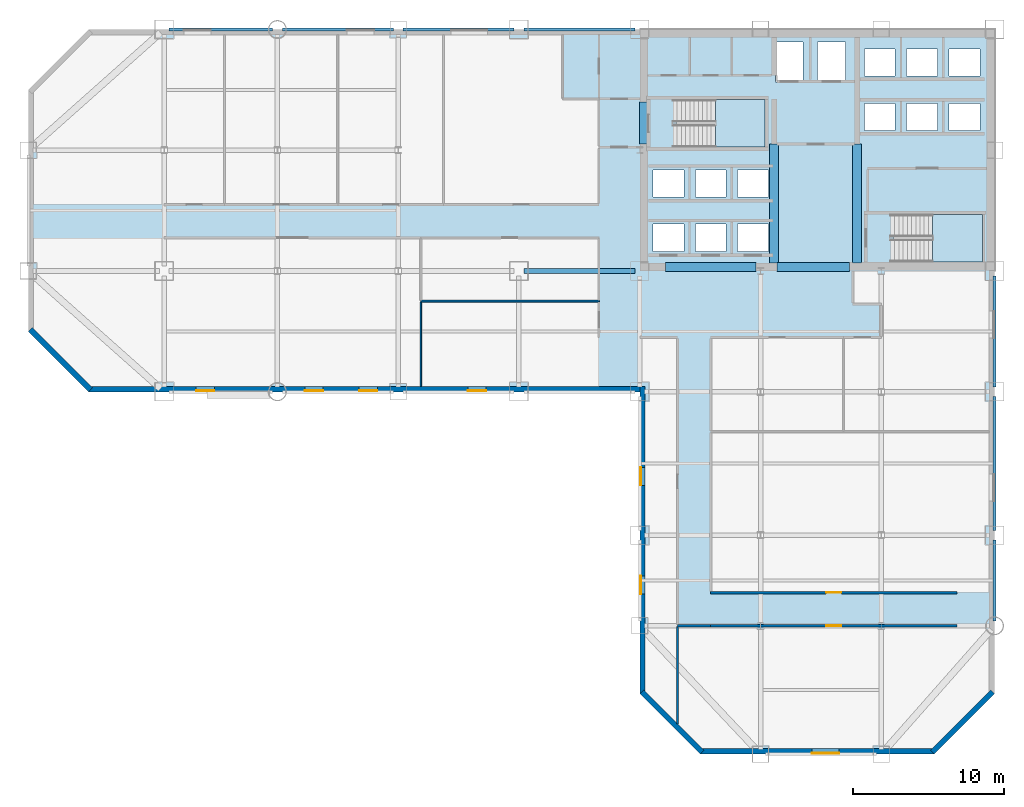
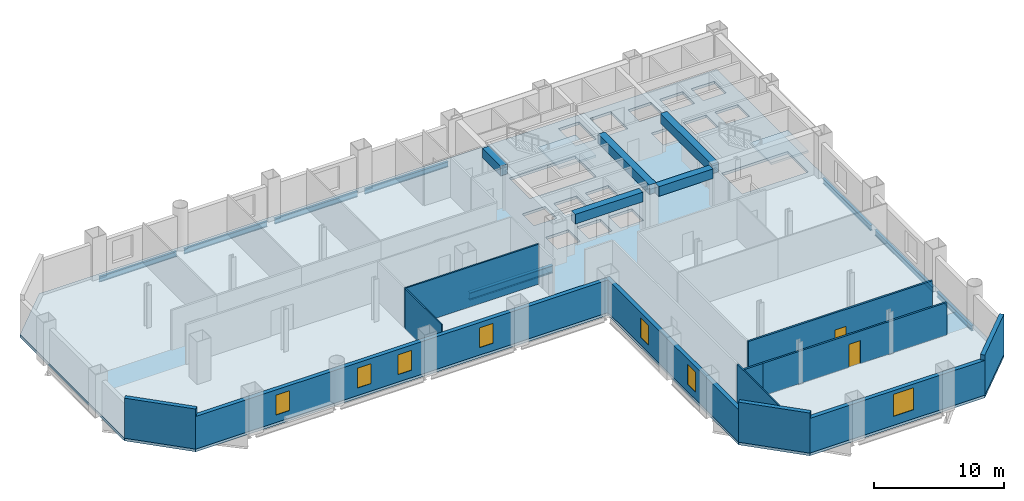
# One storey, part 4 of 9: 13 beams, 12 walls, 7 windows, 3 slabs, 2 doors, 9 openings, 2 elements without a shape of their own.
"""IFC4 building model written with IfcOpenShell, lengths in metres."""

from ifc_helpers import new_model, si_unit, direction, frame, frame_2d, origin, origin_2d, place, context, subcontext, project, spatial, polyline, rectangle, i_section, outline, extrude, material, layer, layer_set, material_profile, profile_set, type_object, element, fill, aggregate, save


model = new_model("IFC4")

# Units and contexts
model_context = context("Model", 3, precision=1e-05, world=origin(), true_north=direction((0.0, 1.0)))
body_context = subcontext(model_context, "Body", "Model", "MODEL_VIEW")
ifc_project = project(units=[si_unit("LENGTHUNIT", "METRE"), si_unit("AREAUNIT", "SQUARE_METRE"), si_unit("VOLUMEUNIT", "CUBIC_METRE"), si_unit("PLANEANGLEUNIT", "RADIAN"), si_unit("MASSUNIT", "GRAM", prefix="KILO")], contexts=[model_context])

# Site, building, storey
site_placement = place(None, origin())
site = spatial("IfcSite", under=ifc_project, at=site_placement, CompositionType="ELEMENT")
building_placement = place(site_placement, origin())
building = spatial("IfcBuilding", under=site, at=building_placement, Name="Qianrong Seaharbour Tower", CompositionType="ELEMENT")
storey_placement = place(building_placement, frame((0.0, 0.0, 88.199951171875)))
storey = spatial("IfcBuildingStorey", under=building, at=storey_placement, Name="L21", CompositionType="ELEMENT", Elevation=88.199951171875)

# Beams
ifc_material_1 = material(Name="Structural steel SN490B", Category="steel")
ifc_material_profile_1 = material_profile(ifc_material_1, i_section(OverallWidth=0.300048828125, OverallDepth=0.699951171875, WebThickness=0.012939453125, FlangeThickness=0.02392578125, FilletRadius=0.02587890625, at=origin_2d()), Name="H700x300x13x24")
ifc_profile_set_1 = profile_set([ifc_material_profile_1], Name="Structural steel SN490B")
beam_type_1 = type_object("IfcBeamType", Name="BM-G-700", PredefinedType="BEAM", material=ifc_profile_set_1)
beam_1_placement = place(storey_placement, frame((32.820068359375, 36.0, -0.599853515625), z_axis=(1.0, 0.0, 0.0), x_axis=(0.0, 1.0, 0.0)))
element("IfcBeam", 1, at=beam_1_placement, inside=storey, type_object=beam_type_1, Name="L21 Primary Girder GF G5-G6", PredefinedType="BEAM", context=body_context, shape_type="SweptSolid", body=[
    extrude(i_section(OverallWidth=0.300048828125, OverallDepth=0.699951171875, WebThickness=0.012939453125, FlangeThickness=0.02392578125, FilletRadius=0.02587890625, at=origin_2d()), origin(), (0.0, 0.0, 1.0), 7.35986328125),
])
ifc_material_2 = material(Name="Concrete C70/85", Category="concrete")
ifc_material_profile_2 = material_profile(ifc_material_2, rectangle(XDim=0.60009765625, YDim=0.89990234375, at=origin_2d()), Name="RC600x900")
ifc_profile_set_2 = profile_set([ifc_material_profile_2], Name="Concrete C70/85")
beam_type_2 = type_object("IfcBeamType", Name="BM-LINTEL-900", PredefinedType="LINTEL", material=ifc_profile_set_2)
beam_2_placement = place(storey_placement, frame((40.77001953125, 44.39990234375, 3.300048828125), z_axis=(0.0, 1.0, 0.0), x_axis=(-1.0, 0.0, 0.0)))
element("IfcBeam", 2, at=beam_2_placement, inside=storey, type_object=beam_type_2, Name="L21 Core Coupling Lintel Beam West", PredefinedType="LINTEL", context=body_context, shape_type="SweptSolid", body=[
    extrude(rectangle(XDim=0.60009765625, YDim=0.89990234375, at=origin_2d()), origin(), (0.0, 0.0, 1.0), 2.800048828125),
])
beam_3_placement = place(storey_placement, frame((42.199951171875, 36.27001953125, 3.300048828125), z_axis=(1.0, 0.0, 0.0), x_axis=(0.0, 1.0, 0.0)))
element("IfcBeam", 3, at=beam_3_placement, inside=storey, type_object=beam_type_2, Name="L21 Core Coupling Lintel Beam CBW", PredefinedType="LINTEL", context=body_context, shape_type="SweptSolid", body=[
    extrude(rectangle(XDim=0.60009765625, YDim=0.89990234375, at=origin_2d()), origin(), (0.0, 0.0, 1.0), 6.0),
])
beam_4_placement = place(storey_placement, frame((49.60009765625, 36.27001953125, 3.300048828125), z_axis=(1.0, 0.0, 0.0), x_axis=(0.0, 1.0, 0.0)))
element("IfcBeam", 4, at=beam_4_placement, inside=storey, type_object=beam_type_2, Name="L21 Core Coupling Lintel Beam CBC", PredefinedType="LINTEL", context=body_context, shape_type="SweptSolid", body=[
    extrude(rectangle(XDim=0.60009765625, YDim=0.89990234375, at=origin_2d()), origin(), (0.0, 0.0, 1.0), 4.7998046875),
])
for number, where, z_axis, x_axis, name in (
    (5, (49.39990234375, 36.5400390625, 3.300048828125), (0.0, 1.0, 0.0), (-1.0, 0.0, 0.0), "L21 Internal Core Coupling Beam IW1"),
    (6, (54.89990234375, 36.5400390625, 3.300048828125), (0.0, 1.0, 0.0), (-1.0, 0.0, 0.0), "L21 Internal Core Coupling Beam IW2"),
):
    element("IfcBeam", number, at=place(storey_placement, frame(where, z_axis=z_axis, x_axis=x_axis)), inside=storey, type_object=beam_type_2, Name=name, PredefinedType="LINTEL", context=body_context, shape_type="SweptSolid", body=[
        extrude(rectangle(XDim=0.60009765625, YDim=0.89990234375, at=origin_2d()), origin(), (0.0, 0.0, 1.0), 7.85986328125),
    ])
ifc_material_profile_3 = material_profile(ifc_material_1, i_section(OverallWidth=0.199951171875, OverallDepth=0.5, WebThickness=0.010009765625, FlangeThickness=0.01611328125, FilletRadius=0.02001953125, at=origin_2d()), Name="H500x200x10x16")
ifc_profile_set_3 = profile_set([ifc_material_profile_3], Name="Structural steel SN490B")
beam_type_3 = type_object("IfcBeamType", Name="BM-SP-500", PredefinedType="SPANDREL", material=ifc_profile_set_3)
beam_5_placement = place(storey_placement, frame((9.320068359375, 52.0, -0.5), z_axis=(1.0, 0.0, 0.0), x_axis=(0.0, 1.0, 0.0)))
element("IfcBeam", 7, at=beam_5_placement, inside=storey, type_object=beam_type_3, Name="L21 Spandrel Girder GH G2-G3", PredefinedType="SPANDREL", context=body_context, shape_type="SweptSolid", body=[
    extrude(i_section(OverallWidth=0.199951171875, OverallDepth=0.5, WebThickness=0.010009765625, FlangeThickness=0.01611328125, FilletRadius=0.02001953125, at=origin_2d()), origin(), (0.0, 0.0, 1.0), 6.85986328125),
])
for number, where, z_axis, x_axis, name in (
    (8, (16.820068359375, 52.0, -0.5), (1.0, 0.0, 0.0), (0.0, 1.0, 0.0), "L21 Spandrel Girder GH G3-G4"),
    (9, (24.820068359375, 52.0, -0.5), (1.0, 0.0, 0.0), (0.0, 1.0, 0.0), "L21 Spandrel Girder GH G4-G5"),
    (10, (32.820068359375, 52.0, -0.5), (1.0, 0.0, 0.0), (0.0, 1.0, 0.0), "L21 Spandrel Girder GH G5-G6"),
):
    element("IfcBeam", number, at=place(storey_placement, frame(where, z_axis=z_axis, x_axis=x_axis)), inside=storey, type_object=beam_type_3, Name=name, PredefinedType="SPANDREL", context=body_context, shape_type="SweptSolid", body=[
        extrude(i_section(OverallWidth=0.199951171875, OverallDepth=0.5, WebThickness=0.010009765625, FlangeThickness=0.01611328125, FilletRadius=0.02001953125, at=origin_2d()), origin(), (0.0, 0.0, 1.0), 7.35986328125),
    ])
beam_6_placement = place(storey_placement, frame((64.0, 12.820068359375, -0.5), z_axis=(0.0, 1.0, 0.0), x_axis=(-1.0, 0.0, 0.0)))
element("IfcBeam", 11, at=beam_6_placement, inside=storey, type_object=beam_type_3, Name="L21 Spandrel Girder G9 GC-GD", PredefinedType="SPANDREL", context=body_context, shape_type="SweptSolid", body=[
    extrude(i_section(OverallWidth=0.199951171875, OverallDepth=0.5, WebThickness=0.010009765625, FlangeThickness=0.01611328125, FilletRadius=0.02001953125, at=origin_2d()), origin(), (0.0, 0.0, 1.0), 5.35986328125),
])
beam_7_placement = place(storey_placement, frame((64.0, 18.820068359375, -0.5), z_axis=(0.0, 1.0, 0.0), x_axis=(-1.0, 0.0, 0.0)))
element("IfcBeam", 12, at=beam_7_placement, inside=storey, type_object=beam_type_3, Name="L21 Spandrel Girder G9 GD-GE", PredefinedType="SPANDREL", context=body_context, shape_type="SweptSolid", body=[
    extrude(i_section(OverallWidth=0.199951171875, OverallDepth=0.5, WebThickness=0.010009765625, FlangeThickness=0.01611328125, FilletRadius=0.02001953125, at=origin_2d()), origin(), (0.0, 0.0, 1.0), 8.85986328125),
])
beam_8_placement = place(storey_placement, frame((64.0, 28.320068359375, -0.5), z_axis=(0.0, 1.0, 0.0), x_axis=(-1.0, 0.0, 0.0)))
element("IfcBeam", 13, at=beam_8_placement, inside=storey, type_object=beam_type_3, Name="L21 Spandrel Girder G9 GE-GF", PredefinedType="SPANDREL", context=body_context, shape_type="SweptSolid", body=[
    extrude(i_section(OverallWidth=0.199951171875, OverallDepth=0.5, WebThickness=0.010009765625, FlangeThickness=0.01611328125, FilletRadius=0.02001953125, at=origin_2d()), origin(), (0.0, 0.0, 1.0), 7.35986328125),
])

# Stair, slab
ifc_material_3 = material(Name="Concrete C50/60", Category="concrete")
stair_type = type_object("IfcStairType", Name="STAIR-DOGLEG-1500-R22", PredefinedType="HALF_TURN_STAIR", material=ifc_material_3)
stair_1_placement = place(storey_placement, origin())
stair_1 = element("IfcStair", 14, at=stair_1_placement, inside=storey, type_object=stair_type, Name="L21 Protected Escape Stair ST-1", PredefinedType="HALF_TURN_STAIR")
ifc_layer_1 = layer(ifc_material_3, 0.199951171875)
ifc_layer_set_1 = layer_set([ifc_layer_1], Name="Concrete C50/60")
slab_type_1 = type_object("IfcSlabType", Name="SLAB-STAIR-LANDING-200", PredefinedType="LANDING", material=ifc_layer_set_1)
slab_1_placement = place(storey_placement, frame((0.0, 0.0, 1.800048828125)))
slab_1 = element("IfcSlab", 15, at=slab_1_placement, type_object=slab_type_1, Name="ST-1 landing 1", PredefinedType="LANDING", context=body_context, shape_type="SweptSolid", body=[
    extrude(outline(polyline([(45.5, 44.199951171875), (48.800048828125, 44.199951171875), (48.800048828125, 47.35009765625), (45.5, 47.35009765625), (45.5, 44.199951171875)])), origin(), (0.0, 0.0, 1.0), 0.199951171875),
])
aggregate(stair_1, [slab_1])

stair_2_placement = place(storey_placement, origin())
stair_2 = element("IfcStair", 16, at=stair_2_placement, inside=storey, type_object=stair_type, Name="L21 Protected Escape Stair ST-2", PredefinedType="HALF_TURN_STAIR")
slab_2_placement = place(storey_placement, frame((0.0, 0.0, 1.800048828125)))
slab_2 = element("IfcSlab", 17, at=slab_2_placement, type_object=slab_type_1, Name="ST-2 landing 1", PredefinedType="LANDING", context=body_context, shape_type="SweptSolid", body=[
    extrude(outline(polyline([(59.89990234375, 36.60009765625), (63.199951171875, 36.60009765625), (63.199951171875, 39.75), (59.89990234375, 39.75), (59.89990234375, 36.60009765625)])), origin(), (0.0, 0.0, 1.0), 0.199951171875),
])
aggregate(stair_2, [slab_2])

# Slab
ifc_layer_2 = layer(ifc_material_3, 0.25)
ifc_layer_set_2 = layer_set([ifc_layer_2], Name="Concrete C50/60")
slab_type_2 = type_object("IfcSlabType", Name="SLAB-Z1-250", PredefinedType="FLOOR", material=ifc_layer_set_2)
slab_3_placement = place(storey_placement, frame((0.0, 0.0, -0.25)))
element("IfcSlab", 18, at=slab_3_placement, inside=storey, type_object=slab_type_2, Name="L21 Structural Floor Slab", PredefinedType="FLOOR", context=body_context, shape_type="SweptSolid", body=[
    extrude(outline(polyline([(44.5, 4.0), (60.0, 4.0), (64.0, 8.0), (64.0, 52.0), (4.0, 52.0), (0.0, 48.0), (0.0, 32.0), (4.0, 28.0), (40.5, 28.0), (40.5, 8.0), (44.5, 4.0)]), holes=[polyline([(42.93994140625, 44.199951171875), (42.93994140625, 47.35009765625), (48.800048828125, 47.35009765625), (48.800048828125, 44.199951171875), (42.93994140625, 44.199951171875)]), polyline([(57.340087890625, 36.60009765625), (57.340087890625, 39.75), (63.199951171875, 39.75), (63.199951171875, 36.60009765625), (57.340087890625, 36.60009765625)]), polyline([(49.47998046875, 48.530029296875), (49.47998046875, 51.169921875), (51.320068359375, 51.169921875), (51.320068359375, 48.530029296875), (49.47998046875, 48.530029296875)]), polyline([(52.280029296875, 48.530029296875), (52.280029296875, 51.169921875), (54.1201171875, 51.169921875), (54.1201171875, 48.530029296875), (52.280029296875, 48.530029296875)]), polyline([(41.3798828125, 37.300048828125), (41.3798828125, 39.10009765625), (43.419921875, 39.10009765625), (43.419921875, 37.300048828125), (41.3798828125, 37.300048828125)]), polyline([(44.179931640625, 37.300048828125), (44.179931640625, 39.10009765625), (46.219970703125, 39.10009765625), (46.219970703125, 37.300048828125), (44.179931640625, 37.300048828125)]), polyline([(46.97998046875, 37.300048828125), (46.97998046875, 39.10009765625), (49.02001953125, 39.10009765625), (49.02001953125, 37.300048828125), (46.97998046875, 37.300048828125)]), polyline([(41.3798828125, 40.89990234375), (41.3798828125, 42.699951171875), (43.419921875, 42.699951171875), (43.419921875, 40.89990234375), (41.3798828125, 40.89990234375)]), polyline([(44.179931640625, 40.89990234375), (44.179931640625, 42.699951171875), (46.219970703125, 42.699951171875), (46.219970703125, 40.89990234375), (44.179931640625, 40.89990234375)]), polyline([(46.97998046875, 40.89990234375), (46.97998046875, 42.699951171875), (49.02001953125, 42.699951171875), (49.02001953125, 40.89990234375), (46.97998046875, 40.89990234375)]), polyline([(55.3798828125, 45.300048828125), (55.3798828125, 47.10009765625), (57.419921875, 47.10009765625), (57.419921875, 45.300048828125), (55.3798828125, 45.300048828125)]), polyline([(58.179931640625, 45.300048828125), (58.179931640625, 47.10009765625), (60.219970703125, 47.10009765625), (60.219970703125, 45.300048828125), (58.179931640625, 45.300048828125)]), polyline([(60.97998046875, 45.300048828125), (60.97998046875, 47.10009765625), (63.02001953125, 47.10009765625), (63.02001953125, 45.300048828125), (60.97998046875, 45.300048828125)]), polyline([(55.3798828125, 48.89990234375), (55.3798828125, 50.699951171875), (57.419921875, 50.699951171875), (57.419921875, 48.89990234375), (55.3798828125, 48.89990234375)]), polyline([(58.179931640625, 48.89990234375), (58.179931640625, 50.699951171875), (60.219970703125, 50.699951171875), (60.219970703125, 48.89990234375), (58.179931640625, 48.89990234375)]), polyline([(60.97998046875, 48.89990234375), (60.97998046875, 50.699951171875), (63.02001953125, 50.699951171875), (63.02001953125, 48.89990234375), (60.97998046875, 48.89990234375)])]), origin(), (0.0, 0.0, 1.0), 0.25),
])

# Wall
ifc_material_4 = material(Name="Fire-rated acoustic gypsum board partition")
ifc_layer_3 = layer(ifc_material_4, 0.1650390625)
ifc_layer_set_3 = layer_set([ifc_layer_3], Name="Fire-rated acoustic gypsum board partition")
wall_type_1 = type_object("IfcWallType", Name="WALL-CORR-PART-165", PredefinedType="PARTITIONING", material=ifc_layer_set_3)
wall_1_placement = place(storey_placement, frame((45.199951171875, 12.5, 0.0), z_axis=(0.0, 0.0, 1.0), x_axis=(-1.0, 0.0, 0.0)))
element("IfcWall", 19, at=wall_1_placement, inside=storey, type_object=wall_type_1, Name="L21 Interior Partition Wall 030", PredefinedType="PARTITIONING", context=body_context, shape_type="SweptSolid", body=[
    extrude(rectangle(XDim=2.199951171875, YDim=0.1650390625, at=frame_2d((1.10009765625, 0.0))), origin(), (0.0, 0.0, 1.0), 3.0419921875),
])

# Wall, opening, door
wall_2_placement = place(storey_placement, frame((61.5, 12.5, 0.0), z_axis=(0.0, 0.0, 1.0), x_axis=(-1.0, 0.0, 0.0)))
wall_2 = element("IfcWall", 20, at=wall_2_placement, inside=storey, type_object=wall_type_1, Name="L21 Interior Partition Wall 034", PredefinedType="PARTITIONING", context=body_context, shape_type="SweptSolid", body=[
    extrude(rectangle(XDim=16.300048828125, YDim=0.1650390625, at=frame_2d((8.14990234375, 0.0))), origin(), (0.0, 0.0, 1.0), 3.0419921875),
])
opening_1_placement = place(wall_2_placement, frame((7.64990234375, 0.0, 0.0)))
opening_1 = element("IfcOpeningElement", 21, at=opening_1_placement, cuts=wall_2, Name="Opening DO-01", PredefinedType="OPENING", context=body_context, shape_type="SweptSolid", body=[
    extrude(rectangle(XDim=1.0, YDim=2.14990234375, at=frame_2d((0.5, 1.074951171875))), frame((0.0, 0.092529296875, 0.0), z_axis=(0.0, -1.0, 0.0), x_axis=(1.0, 0.0, 0.0)), (0.0, 0.0, 1.0), 0.18505859375),
])
ifc_material_5 = material(Name="Acoustic timber and galvanized steel fire door assembly", Category="steel")
door_type = type_object("IfcDoorType", Name="DOOR-OFFICE-1000x2150", OperationType="NOTDEFINED", PredefinedType="DOOR", material=ifc_material_5)
door_1_placement = place(opening_1_placement, origin())
door_1 = element("IfcDoor", 22, at=door_1_placement, inside=storey, type_object=door_type, Name="L21 South Tip Open-Plan Office Door", OperationType="SINGLE_SWING_LEFT", OverallHeight=2.14990234375, OverallWidth=1.0, PredefinedType="DOOR", context=body_context, shape_type="SweptSolid", body=[
    extrude(rectangle(XDim=1.0, YDim=2.14990234375, at=frame_2d((0.5, 1.074951171875))), frame((0.0, 0.02490234375, 0.0), z_axis=(0.0, -1.0, 0.0), x_axis=(1.0, 0.0, 0.0)), (0.0, 0.0, 1.0), 0.050048828125),
])
fill(opening_1, door_1)

wall_3_placement = place(storey_placement, frame((45.199951171875, 14.699951171875, 0.0), z_axis=(0.0, 0.0, 1.0), x_axis=(1.0, 0.0, 0.0)))
wall_3 = element("IfcWall", 23, at=wall_3_placement, inside=storey, type_object=wall_type_1, Name="L21 Interior Partition Wall 035", PredefinedType="PARTITIONING", context=body_context, shape_type="SweptSolid", body=[
    extrude(rectangle(XDim=16.300048828125, YDim=0.1650390625, at=frame_2d((8.14990234375, 0.0))), origin(), (0.0, 0.0, 1.0), 3.75),
])
opening_2_placement = place(wall_3_placement, frame((7.64990234375, 0.0, 0.0)))
opening_2 = element("IfcOpeningElement", 24, at=opening_2_placement, cuts=wall_3, Name="Opening DO-01", PredefinedType="OPENING", context=body_context, shape_type="SweptSolid", body=[
    extrude(rectangle(XDim=1.0, YDim=2.14990234375, at=frame_2d((0.5, 1.074951171875))), frame((0.0, 0.092529296875, 0.0), z_axis=(0.0, -1.0, 0.0), x_axis=(1.0, 0.0, 0.0)), (0.0, 0.0, 1.0), 0.18505859375),
])
door_2_placement = place(opening_2_placement, origin())
door_2 = element("IfcDoor", 25, at=door_2_placement, inside=storey, type_object=door_type, Name="L21 Operations Open-Plan Office Door", OperationType="SINGLE_SWING_RIGHT", OverallHeight=2.14990234375, OverallWidth=1.0, PredefinedType="DOOR", context=body_context, shape_type="SweptSolid", body=[
    extrude(rectangle(XDim=1.0, YDim=2.14990234375, at=frame_2d((0.5, 1.074951171875))), frame((0.0, 0.02490234375, 0.0), z_axis=(0.0, -1.0, 0.0), x_axis=(1.0, 0.0, 0.0)), (0.0, 0.0, 1.0), 0.050048828125),
])
fill(opening_2, door_2)

# Walls
ifc_material_6 = material(Name="Demountable aluminium-framed acoustic office partition", Category="aluminium")
ifc_layer_4 = layer(ifc_material_6, 0.110107421875)
ifc_layer_set_4 = layer_set([ifc_layer_4], Name="Demountable aluminium-framed acoustic office partition")
wall_type_2 = type_object("IfcWallType", Name="WALL-DEMOUNT-110", PredefinedType="MOVABLE", material=ifc_layer_set_4)
wall_4_placement = place(storey_placement, frame((43.0, 5.997802734375, 0.0), z_axis=(0.0, 0.0, 1.0), x_axis=(0.0, 1.0, 0.0)))
element("IfcWall", 26, at=wall_4_placement, inside=storey, type_object=wall_type_2, Name="L21 Interior Partition Wall 036", PredefinedType="MOVABLE", context=body_context, shape_type="SweptSolid", body=[
    extrude(rectangle(XDim=6.427734375, YDim=0.110107421875, at=frame_2d((3.2138671875, 0.0))), origin(), (0.0, 0.0, 1.0), 3.75),
])
wall_5_placement = place(storey_placement, frame((26.0, 33.943115234375, 0.0), z_axis=(0.0, 0.0, 1.0), x_axis=(0.0, -1.0, 0.0)))
element("IfcWall", 27, at=wall_5_placement, inside=storey, type_object=wall_type_2, Name="L21 Interior Partition Wall 043", PredefinedType="MOVABLE", context=body_context, shape_type="SweptSolid", body=[
    extrude(rectangle(XDim=5.591064453125, YDim=0.110107421875, at=frame_2d((2.79541015625, 0.0))), origin(), (0.0, 0.0, 1.0), 3.75),
])

# Wall, openings, windows
ifc_material_7 = material(Name="Unitised red brick on Precast concrete C45/55", Category="masonry")
ifc_layer_5 = layer(ifc_material_7, 0.360107421875)
ifc_layer_set_5 = layer_set([ifc_layer_5], Name="Unitised red brick on Precast concrete C45/55")
wall_type_3 = type_object("IfcWallType", Name="WALL-EXT-BRICK-RED-360", PredefinedType="SOLIDWALL", material=ifc_layer_set_5)
wall_6_placement = place(storey_placement, frame((40.679931640625, 8.0, 0.0), z_axis=(0.0, 0.0, 1.0), x_axis=(0.0, 1.0, 0.0)))
wall_6 = element("IfcWall", 28, at=wall_6_placement, inside=storey, type_object=wall_type_3, Name="L21 Exterior Masonry Facade Wall REENTRANT_WEST", PredefinedType="SOLIDWALL", context=body_context, shape_type="SweptSolid", body=[
    extrude(rectangle(XDim=20.360107421875, YDim=0.360107421875, at=frame_2d((10.18017578125, 0.0))), origin(), (0.0, 0.0, 1.0), 3.050048828125),
])
opening_3_placement = place(wall_6_placement, frame((6.60009765625, 0.0, 0.699951171875)))
opening_3 = element("IfcOpeningElement", 29, at=opening_3_placement, cuts=wall_6, Name="Opening WN-01", PredefinedType="OPENING", context=body_context, shape_type="SweptSolid", body=[
    extrude(rectangle(XDim=1.199951171875, YDim=1.85009765625, at=frame_2d((0.60009765625, 0.925048828125))), frame((0.0, 0.18994140625, 0.0), z_axis=(0.0, -1.0, 0.0), x_axis=(1.0, 0.0, 0.0)), (0.0, 0.0, 1.0), 0.380126953125),
])
opening_4_placement = place(wall_6_placement, frame((13.800048828125, 0.0, 0.699951171875)))
opening_4 = element("IfcOpeningElement", 30, at=opening_4_placement, cuts=wall_6, Name="Opening WN-01", PredefinedType="OPENING", context=body_context, shape_type="SweptSolid", body=[
    extrude(rectangle(XDim=1.199951171875, YDim=1.85009765625, at=frame_2d((0.60009765625, 0.925048828125))), frame((0.0, 0.18994140625, 0.0), z_axis=(0.0, -1.0, 0.0), x_axis=(1.0, 0.0, 0.0)), (0.0, 0.0, 1.0), 0.380126953125),
])
ifc_material_8 = material(Name="Insulated low-e double glazing in thermally broken aluminium 6063-T6 frame", Category="aluminium")
window_type_1 = type_object("IfcWindowType", Name="WIN-PUNCH-1200x1850", PartitioningType="DOUBLE_PANEL_VERTICAL", PredefinedType="WINDOW", material=ifc_material_8)
window_1_placement = place(opening_3_placement, origin())
window_1 = element("IfcWindow", 31, at=window_1_placement, inside=storey, type_object=window_type_1, Name="L21 Deep-Set Punched Window 00.02", OverallHeight=1.85009765625, OverallWidth=1.199951171875, PartitioningType="DOUBLE_PANEL_VERTICAL", PredefinedType="WINDOW", context=body_context, shape_type="SweptSolid", body=[
    extrude(rectangle(XDim=1.199951171875, YDim=1.85009765625, at=frame_2d((0.60009765625, 0.925048828125))), frame((0.0, 0.150146484375, 0.0), z_axis=(0.0, -1.0, 0.0), x_axis=(1.0, 0.0, 0.0)), (0.0, 0.0, 1.0), 0.06005859375),
])
fill(opening_3, window_1)
window_2_placement = place(opening_4_placement, origin())
window_2 = element("IfcWindow", 32, at=window_2_placement, inside=storey, type_object=window_type_1, Name="L21 Deep-Set Punched Window 00.04", OverallHeight=1.85009765625, OverallWidth=1.199951171875, PartitioningType="DOUBLE_PANEL_VERTICAL", PredefinedType="WINDOW", context=body_context, shape_type="SweptSolid", body=[
    extrude(rectangle(XDim=1.199951171875, YDim=1.85009765625, at=frame_2d((0.60009765625, 0.925048828125))), frame((0.0, 0.150146484375, 0.0), z_axis=(0.0, -1.0, 0.0), x_axis=(1.0, 0.0, 0.0)), (0.0, 0.0, 1.0), 0.06005859375),
])
fill(opening_4, window_2)

wall_7_placement = place(storey_placement, frame((40.52001953125, 28.179931640625, 0.0), z_axis=(0.0, 0.0, 1.0), x_axis=(-1.0, 0.0, 0.0)))
wall_7 = element("IfcWall", 33, at=wall_7_placement, inside=storey, type_object=wall_type_3, Name="L21 Exterior Masonry Facade Wall HARBOUR_RIBBON", PredefinedType="SOLIDWALL", context=body_context, shape_type="SweptSolid", body=[
    extrude(rectangle(XDim=36.52001953125, YDim=0.360107421875, at=frame_2d((18.260009765625, 0.0))), origin(), (0.0, 0.0, 1.0), 3.050048828125),
])
opening_5_placement = place(wall_7_placement, frame((10.199951171875, 0.0, 0.699951171875)))
opening_5 = element("IfcOpeningElement", 34, at=opening_5_placement, cuts=wall_7, Name="Opening WN-01", PredefinedType="OPENING", context=body_context, shape_type="SweptSolid", body=[
    extrude(rectangle(XDim=1.199951171875, YDim=1.85009765625, at=frame_2d((0.60009765625, 0.925048828125))), frame((0.0, 0.18994140625, 0.0), z_axis=(0.0, -1.0, 0.0), x_axis=(1.0, 0.0, 0.0)), (0.0, 0.0, 1.0), 0.380126953125),
])
opening_6_placement = place(wall_7_placement, frame((17.39990234375, 0.0, 0.699951171875)))
opening_6 = element("IfcOpeningElement", 35, at=opening_6_placement, cuts=wall_7, Name="Opening WN-01", PredefinedType="OPENING", context=body_context, shape_type="SweptSolid", body=[
    extrude(rectangle(XDim=1.199951171875, YDim=1.85009765625, at=frame_2d((0.60009765625, 0.925048828125))), frame((0.0, 0.18994140625, 0.0), z_axis=(0.0, -1.0, 0.0), x_axis=(1.0, 0.0, 0.0)), (0.0, 0.0, 1.0), 0.380126953125),
])
opening_7_placement = place(wall_7_placement, frame((21.0, 0.0, 0.699951171875)))
opening_7 = element("IfcOpeningElement", 36, at=opening_7_placement, cuts=wall_7, Name="Opening WN-01", PredefinedType="OPENING", context=body_context, shape_type="SweptSolid", body=[
    extrude(rectangle(XDim=1.199951171875, YDim=1.85009765625, at=frame_2d((0.60009765625, 0.925048828125))), frame((0.0, 0.18994140625, 0.0), z_axis=(0.0, -1.0, 0.0), x_axis=(1.0, 0.0, 0.0)), (0.0, 0.0, 1.0), 0.380126953125),
])
opening_8_placement = place(wall_7_placement, frame((28.199951171875, 0.0, 0.699951171875)))
opening_8 = element("IfcOpeningElement", 37, at=opening_8_placement, cuts=wall_7, Name="Opening WN-01", PredefinedType="OPENING", context=body_context, shape_type="SweptSolid", body=[
    extrude(rectangle(XDim=1.199951171875, YDim=1.85009765625, at=frame_2d((0.60009765625, 0.925048828125))), frame((0.0, 0.18994140625, 0.0), z_axis=(0.0, -1.0, 0.0), x_axis=(1.0, 0.0, 0.0)), (0.0, 0.0, 1.0), 0.380126953125),
])
window_3_placement = place(opening_5_placement, origin())
window_3 = element("IfcWindow", 38, at=window_3_placement, inside=storey, type_object=window_type_1, Name="L21 Deep-Set Punched Window 01.03", OverallHeight=1.85009765625, OverallWidth=1.199951171875, PartitioningType="DOUBLE_PANEL_VERTICAL", PredefinedType="WINDOW", context=body_context, shape_type="SweptSolid", body=[
    extrude(rectangle(XDim=1.199951171875, YDim=1.85009765625, at=frame_2d((0.60009765625, 0.925048828125))), frame((0.0, 0.150146484375, 0.0), z_axis=(0.0, -1.0, 0.0), x_axis=(1.0, 0.0, 0.0)), (0.0, 0.0, 1.0), 0.06005859375),
])
fill(opening_5, window_3)
window_4_placement = place(opening_6_placement, origin())
window_4 = element("IfcWindow", 39, at=window_4_placement, inside=storey, type_object=window_type_1, Name="L21 Deep-Set Punched Window 01.05", OverallHeight=1.85009765625, OverallWidth=1.199951171875, PartitioningType="DOUBLE_PANEL_VERTICAL", PredefinedType="WINDOW", context=body_context, shape_type="SweptSolid", body=[
    extrude(rectangle(XDim=1.199951171875, YDim=1.85009765625, at=frame_2d((0.60009765625, 0.925048828125))), frame((0.0, 0.150146484375, 0.0), z_axis=(0.0, -1.0, 0.0), x_axis=(1.0, 0.0, 0.0)), (0.0, 0.0, 1.0), 0.06005859375),
])
fill(opening_6, window_4)
window_5_placement = place(opening_7_placement, origin())
window_5 = element("IfcWindow", 40, at=window_5_placement, inside=storey, type_object=window_type_1, Name="L21 Deep-Set Punched Window 01.06", OverallHeight=1.85009765625, OverallWidth=1.199951171875, PartitioningType="DOUBLE_PANEL_VERTICAL", PredefinedType="WINDOW", context=body_context, shape_type="SweptSolid", body=[
    extrude(rectangle(XDim=1.199951171875, YDim=1.85009765625, at=frame_2d((0.60009765625, 0.925048828125))), frame((0.0, 0.150146484375, 0.0), z_axis=(0.0, -1.0, 0.0), x_axis=(1.0, 0.0, 0.0)), (0.0, 0.0, 1.0), 0.06005859375),
])
fill(opening_7, window_5)
window_6_placement = place(opening_8_placement, origin())
window_6 = element("IfcWindow", 41, at=window_6_placement, inside=storey, type_object=window_type_1, Name="L21 Deep-Set Punched Window 01.08", OverallHeight=1.85009765625, OverallWidth=1.199951171875, PartitioningType="DOUBLE_PANEL_VERTICAL", PredefinedType="WINDOW", context=body_context, shape_type="SweptSolid", body=[
    extrude(rectangle(XDim=1.199951171875, YDim=1.85009765625, at=frame_2d((0.60009765625, 0.925048828125))), frame((0.0, 0.150146484375, 0.0), z_axis=(0.0, -1.0, 0.0), x_axis=(1.0, 0.0, 0.0)), (0.0, 0.0, 1.0), 0.06005859375),
])
fill(opening_8, window_6)

# Walls
for number, where, z_axis, x_axis, name in (
    (42, (4.127197265625, 28.127197265625, 0.0), (0.0, 0.0, 1.0), (-0.707106781187, 0.707106781187, 0.0), "L21 Exterior Masonry Facade Wall E02"),
    (43, (63.872802734375, 8.127197265625, 0.0), (0.0, 0.0, 1.0), (-0.707106781187, -0.707106781187, 0.0), "L21 Exterior Masonry Facade Wall E07"),
):
    element("IfcWall", number, at=place(storey_placement, frame(where, z_axis=z_axis, x_axis=x_axis)), inside=storey, type_object=wall_type_3, Name=name, PredefinedType="SOLIDWALL", context=body_context, shape_type="SweptSolid", body=[
        extrude(rectangle(XDim=5.65673828125, YDim=0.360107421875, at=frame_2d((2.828369140625, 0.0))), origin(), (0.0, 0.0, 1.0), 3.75),
    ])

# Wall, opening, window
wall_8_placement = place(storey_placement, frame((60.0, 4.179931640625, 0.0), z_axis=(0.0, 0.0, 1.0), x_axis=(-1.0, 0.0, 0.0)))
wall_8 = element("IfcWall", 44, at=wall_8_placement, inside=storey, type_object=wall_type_3, Name="L21 Exterior Masonry Facade Wall SOUTH_TIP", PredefinedType="SOLIDWALL", context=body_context, shape_type="SweptSolid", body=[
    extrude(rectangle(XDim=15.5, YDim=0.360107421875, at=frame_2d((7.75, 0.0))), origin(), (0.0, 0.0, 1.0), 3.25),
])
opening_9_placement = place(wall_8_placement, frame((6.300048828125, 0.0, 0.85009765625)))
opening_9 = element("IfcOpeningElement", 45, at=opening_9_placement, cuts=wall_8, Name="Opening WN-05", PredefinedType="OPENING", context=body_context, shape_type="SweptSolid", body=[
    extrude(rectangle(XDim=1.800048828125, YDim=2.050048828125, at=frame_2d((0.89990234375, 1.02490234375))), frame((0.0, 0.18994140625, 0.0), z_axis=(0.0, -1.0, 0.0), x_axis=(1.0, 0.0, 0.0)), (0.0, 0.0, 1.0), 0.380126953125),
])
window_type_2 = type_object("IfcWindowType", Name="WIN-PUNCH-1800x2050", PartitioningType="TRIPLE_PANEL_VERTICAL", PredefinedType="WINDOW", material=ifc_material_8)
window_7_placement = place(opening_9_placement, origin())
window_7 = element("IfcWindow", 46, at=window_7_placement, inside=storey, type_object=window_type_2, Name="L21 Deep-Set Punched Window 08.02", OverallHeight=2.050048828125, OverallWidth=1.800048828125, PartitioningType="TRIPLE_PANEL_VERTICAL", PredefinedType="WINDOW", context=body_context, shape_type="SweptSolid", body=[
    extrude(rectangle(XDim=1.800048828125, YDim=2.050048828125, at=frame_2d((0.89990234375, 1.02490234375))), frame((0.0, 0.150146484375, 0.0), z_axis=(0.0, -1.0, 0.0), x_axis=(1.0, 0.0, 0.0)), (0.0, 0.0, 1.0), 0.06005859375),
])
fill(opening_9, window_7)

# Walls
wall_9_placement = place(storey_placement, frame((44.627197265625, 4.127197265625, 0.0), z_axis=(0.0, 0.0, 1.0), x_axis=(-0.707106781187, 0.707106781187, 0.0)))
element("IfcWall", 47, at=wall_9_placement, inside=storey, type_object=wall_type_3, Name="L21 Exterior Masonry Facade Wall E09", PredefinedType="SOLIDWALL", context=body_context, shape_type="SweptSolid", body=[
    extrude(rectangle(XDim=5.65673828125, YDim=0.360107421875, at=frame_2d((2.828369140625, 0.0))), origin(), (0.0, 0.0, 1.0), 3.75),
])
ifc_material_9 = material(Name="Water-resistant cement board sanitary partition")
ifc_layer_6 = layer(ifc_material_9, 0.1298828125)
ifc_layer_set_6 = layer_set([ifc_layer_6], Name="Water-resistant cement board sanitary partition")
wall_type_4 = type_object("IfcWallType", Name="WALL-WET-PART-130", PredefinedType="PARTITIONING", material=ifc_layer_set_6)
wall_10_placement = place(storey_placement, frame((26.0, 34.0, 0.0), z_axis=(0.0, 0.0, 1.0), x_axis=(1.0, 0.0, 0.0)))
element("IfcWall", 48, at=wall_10_placement, inside=storey, type_object=wall_type_4, Name="L21 Interior Partition Wall 045", PredefinedType="PARTITIONING", context=body_context, shape_type="SweptSolid", body=[
    extrude(rectangle(XDim=11.800048828125, YDim=0.1298828125, at=frame_2d((5.89990234375, 0.0))), origin(), (0.0, 0.0, 1.0), 3.75),
])

save(model, "model.ifc")
